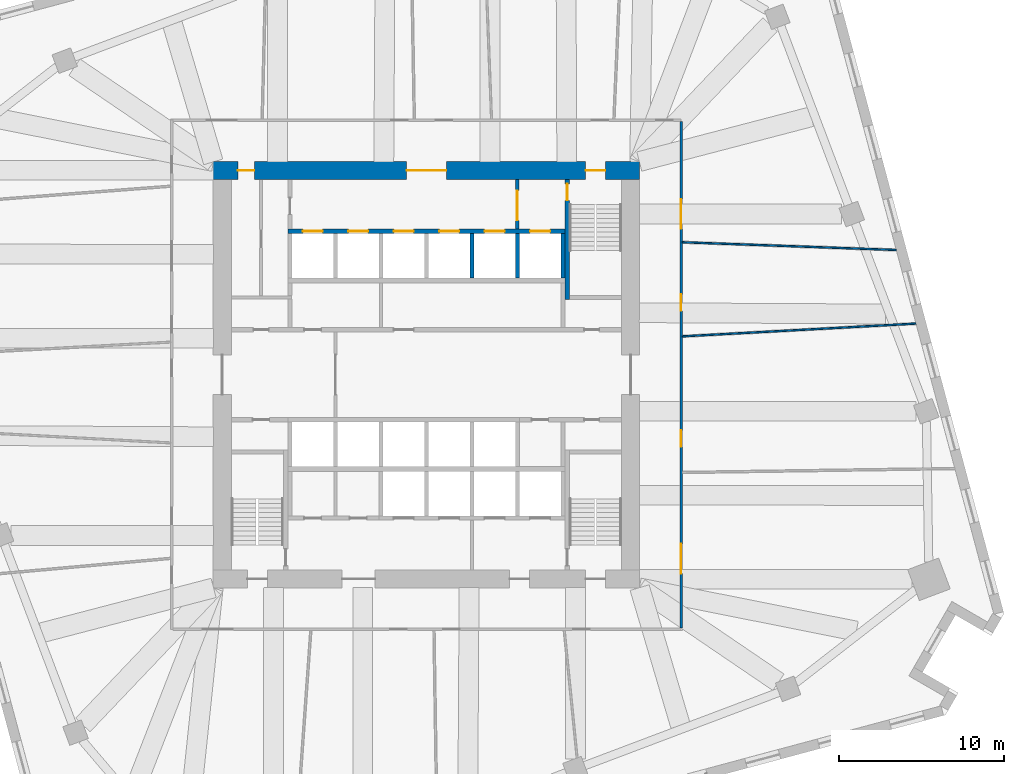
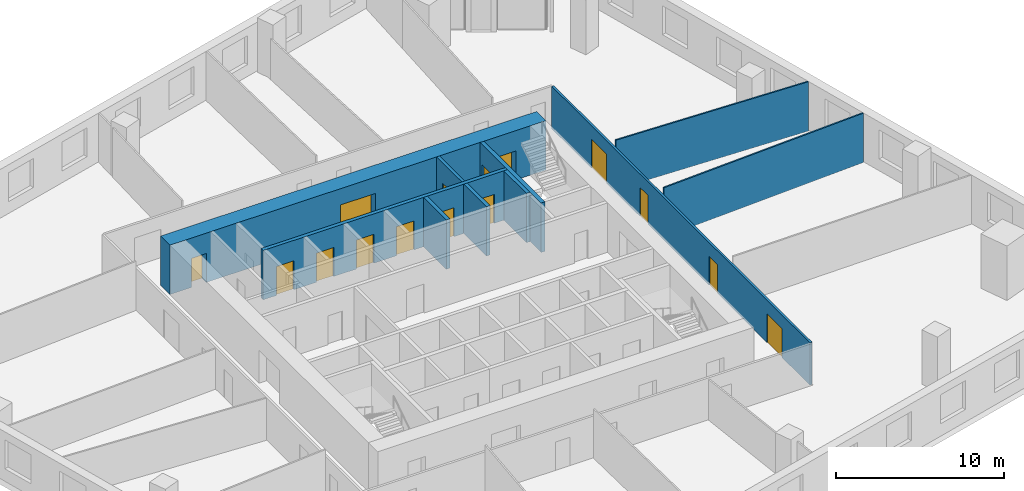
# One storey, part 9 of 13: 15 doors, 10 walls, 15 openings.
"""IFC4 building model written with IfcOpenShell, lengths in metres."""

from ifc_helpers import new_model, si_unit, direction, frame, frame_2d, origin, place, context, subcontext, project, spatial, rectangle, extrude, material, layer, layer_set, type_object, element, fill, save


model = new_model("IFC4")

# Units and contexts
model_context = context("Model", 3, precision=1e-05, world=origin(), true_north=direction((0.0, 1.0)))
body_context = subcontext(model_context, "Body", "Model", "MODEL_VIEW")
ifc_project = project(units=[si_unit("LENGTHUNIT", "METRE"), si_unit("AREAUNIT", "SQUARE_METRE"), si_unit("VOLUMEUNIT", "CUBIC_METRE"), si_unit("PLANEANGLEUNIT", "RADIAN"), si_unit("MASSUNIT", "GRAM", prefix="KILO")], contexts=[model_context])

# Site, building, storey
site_placement = place(None, origin())
site = spatial("IfcSite", under=ifc_project, at=site_placement, CompositionType="ELEMENT")
building_placement = place(site_placement, origin())
building = spatial("IfcBuilding", under=site, at=building_placement, Name="Dilmun Exchange Tower", CompositionType="ELEMENT")
storey_placement = place(building_placement, frame((0.0, 0.0, 86.10009765625)))
storey = spatial("IfcBuildingStorey", under=building, at=storey_placement, Name="L19", CompositionType="ELEMENT", Elevation=86.10009765625)

# Wall, opening, door
ifc_material_1 = material(Name="Concrete C40/50", Category="concrete")
ifc_layer_1 = layer(ifc_material_1, 0.199951171875)
ifc_layer_set_1 = layer_set([ifc_layer_1], Name="Concrete C40/50")
wall_type_1 = type_object("IfcWallType", Name="Core partition wall 200", PredefinedType="PARTITIONING", material=ifc_layer_set_1)
wall_1_placement = place(storey_placement, frame((5.5, 8.804931640625, 0.0), z_axis=(0.0, 0.0, 1.0), x_axis=(0.0, 1.0, 0.0)))
wall_1 = element("IfcWall", 1, at=wall_1_placement, inside=storey, type_object=wall_type_1, Name="L19 core partition wall 17", PredefinedType="PARTITIONING", context=body_context, shape_type="SweptSolid", body=[
    extrude(rectangle(XDim=2.989990234375, YDim=0.199951171875, at=frame_2d((1.4951171875, 0.0))), origin(), (0.0, 0.0, 1.0), 3.579833984375),
])
opening_1_placement = place(wall_1_placement, frame((0.532470703125, 0.0, 0.0)))
opening_1 = element("IfcOpeningElement", 2, at=opening_1_placement, cuts=wall_1, Name="Opening CD5", PredefinedType="OPENING", context=body_context, shape_type="SweptSolid", body=[
    extrude(rectangle(XDim=1.800048828125, YDim=2.10009765625, at=frame_2d((0.89990234375, 1.050048828125))), frame((0.0, 0.10986328125, 0.0), z_axis=(0.0, -1.0, 0.0), x_axis=(1.0, 0.0, 0.0)), (0.0, 0.0, 1.0), 0.219970703125),
])
ifc_material_2 = material(Name="Fire-rated steel door set", Category="steel")
door_type_1 = type_object("IfcDoorType", Name="Stair exit door 1800x2100", OperationType="SINGLE_SWING_LEFT", PredefinedType="DOOR", material=ifc_material_2)
door_1_placement = place(opening_1_placement, origin())
door_1 = element("IfcDoor", 3, at=door_1_placement, inside=storey, type_object=door_type_1, Name="L19 door Lift lobby east", OperationType="SINGLE_SWING_LEFT", OverallHeight=2.10009765625, OverallWidth=1.800048828125, PredefinedType="DOOR", context=body_context, shape_type="SweptSolid", body=[
    extrude(rectangle(XDim=1.800048828125, YDim=2.10009765625, at=frame_2d((0.89990234375, 1.050048828125))), frame((0.0, 0.02490234375, 0.0), z_axis=(0.0, -1.0, 0.0), x_axis=(1.0, 0.0, 0.0)), (0.0, 0.0, 1.0), 0.050048828125),
])
fill(opening_1, door_1)

# Wall, openings, doors
ifc_material_3 = material(Name="Concrete C80/95", Category="concrete")
ifc_layer_2 = layer(ifc_material_3, 1.10009765625)
ifc_layer_set_2 = layer_set([ifc_layer_2], Name="Concrete C80/95")
wall_type_2 = type_object("IfcWallType", Name="Core shear wall 1100 Concrete C80/95", PredefinedType="SHEAR", material=ifc_layer_set_2)
wall_2_placement = place(storey_placement, frame((-12.89990234375, 12.35009765625, 0.0), z_axis=(0.0, 0.0, 1.0), x_axis=(1.0, 0.0, 0.0)))
wall_2 = element("IfcWall", 4, at=wall_2_placement, inside=storey, type_object=wall_type_2, Name="L19 core shear wall N", PredefinedType="SHEAR", context=body_context, shape_type="SweptSolid", body=[
    extrude(rectangle(XDim=25.7998046875, YDim=1.10009765625, at=frame_2d((12.89990234375, 0.0))), origin(), (0.0, 0.0, 1.0), 3.579833984375),
])
opening_2_placement = place(wall_2_placement, frame((11.699951171875, 0.0, 0.0)))
opening_2 = element("IfcOpeningElement", 5, at=opening_2_placement, cuts=wall_2, Name="Opening CD1", PredefinedType="OPENING", context=body_context, shape_type="SweptSolid", body=[
    extrude(rectangle(XDim=2.39990234375, YDim=2.39990234375, at=frame_2d((1.199951171875, 1.199951171875))), frame((0.0, 0.56005859375, 0.0), z_axis=(0.0, -1.0, 0.0), x_axis=(1.0, 0.0, 0.0)), (0.0, 0.0, 1.0), 1.1201171875),
])
opening_3_placement = place(wall_2_placement, frame((22.52490234375, 0.0, 0.0)))
opening_3 = element("IfcOpeningElement", 6, at=opening_3_placement, cuts=wall_2, Name="Opening CD3", PredefinedType="OPENING", context=body_context, shape_type="SweptSolid", body=[
    extrude(rectangle(XDim=1.199951171875, YDim=2.10009765625, at=frame_2d((0.60009765625, 1.050048828125))), frame((0.0, 0.56005859375, 0.0), z_axis=(0.0, -1.0, 0.0), x_axis=(1.0, 0.0, 0.0)), (0.0, 0.0, 1.0), 1.1201171875),
])
opening_4_placement = place(wall_2_placement, frame((1.5, 0.0, 0.0)))
opening_4 = element("IfcOpeningElement", 7, at=opening_4_placement, cuts=wall_2, Name="Opening CD4", PredefinedType="OPENING", context=body_context, shape_type="SweptSolid", body=[
    extrude(rectangle(XDim=1.0, YDim=2.10009765625, at=frame_2d((0.5, 1.050048828125))), frame((0.0, 0.56005859375, 0.0), z_axis=(0.0, -1.0, 0.0), x_axis=(1.0, 0.0, 0.0)), (0.0, 0.0, 1.0), 1.1201171875),
])
door_type_2 = type_object("IfcDoorType", Name="Core lobby door 2400x2400", OperationType="DOUBLE_DOOR_DOUBLE_SWING", PredefinedType="DOOR", material=ifc_material_2)
door_2_placement = place(opening_2_placement, origin())
door_2 = element("IfcDoor", 8, at=door_2_placement, inside=storey, type_object=door_type_2, Name="L19 door North lift lobby", OperationType="SINGLE_SWING_LEFT", OverallHeight=2.39990234375, OverallWidth=2.39990234375, PredefinedType="DOOR", context=body_context, shape_type="SweptSolid", body=[
    extrude(rectangle(XDim=2.39990234375, YDim=2.39990234375, at=frame_2d((1.199951171875, 1.199951171875))), frame((0.0, 0.02490234375, 0.0), z_axis=(0.0, -1.0, 0.0), x_axis=(1.0, 0.0, 0.0)), (0.0, 0.0, 1.0), 0.050048828125),
])
fill(opening_2, door_2)
door_type_3 = type_object("IfcDoorType", Name="Core room door 1000x2100", OperationType="SINGLE_SWING_LEFT", PredefinedType="DOOR", material=ifc_material_2)
door_3_placement = place(opening_4_placement, origin())
door_3 = element("IfcDoor", 9, at=door_3_placement, inside=storey, type_object=door_type_3, Name="L19 door North-west core rooms", OperationType="SINGLE_SWING_LEFT", OverallHeight=2.10009765625, OverallWidth=1.0, PredefinedType="DOOR", context=body_context, shape_type="SweptSolid", body=[
    extrude(rectangle(XDim=1.0, YDim=2.10009765625, at=frame_2d((0.5, 1.050048828125))), frame((0.0, 0.02490234375, 0.0), z_axis=(0.0, -1.0, 0.0), x_axis=(1.0, 0.0, 0.0)), (0.0, 0.0, 1.0), 0.050048828125),
])
fill(opening_4, door_3)
door_type_4 = type_object("IfcDoorType", Name="Stair exit door 1200x2100", OperationType="SINGLE_SWING_LEFT", PredefinedType="DOOR", material=ifc_material_2)
door_4_placement = place(opening_3_placement, origin())
door_4 = element("IfcDoor", 10, at=door_4_placement, inside=storey, type_object=door_type_4, Name="L19 door Stair ST1", OperationType="SINGLE_SWING_LEFT", OverallHeight=2.10009765625, OverallWidth=1.199951171875, PredefinedType="DOOR", context=body_context, shape_type="SweptSolid", body=[
    extrude(rectangle(XDim=1.199951171875, YDim=2.10009765625, at=frame_2d((0.60009765625, 1.050048828125))), frame((0.0, 0.02490234375, 0.0), z_axis=(0.0, -1.0, 0.0), x_axis=(1.0, 0.0, 0.0)), (0.0, 0.0, 1.0), 0.050048828125),
])
fill(opening_3, door_4)

ifc_material_4 = material(Name="Corridor wall 150")
ifc_layer_3 = layer(ifc_material_4, 0.14990234375)
ifc_layer_set_3 = layer_set([ifc_layer_3], Name="Corridor wall 150")
wall_type_3 = type_object("IfcWallType", Name="Corridor wall 150", PredefinedType="PARTITIONING", material=ifc_layer_set_3)
wall_3_placement = place(storey_placement, frame((15.39990234375, -15.324951171875, 0.0), z_axis=(0.0, 0.0, 1.0), x_axis=(0.0, 1.0, 0.0)))
wall_3 = element("IfcWall", 11, at=wall_3_placement, inside=storey, type_object=wall_type_3, Name="Corridor wall", PredefinedType="PARTITIONING", context=body_context, shape_type="SweptSolid", body=[
    extrude(rectangle(XDim=30.64990234375, YDim=0.14990234375, at=frame_2d((15.324951171875, 0.0))), origin(), (0.0, 0.0, 1.0), 3.079833984375),
])
opening_5_placement = place(wall_3_placement, frame((24.1396484375, 0.0, 0.0)))
opening_5 = element("IfcOpeningElement", 12, at=opening_5_placement, cuts=wall_3, Name="Opening TF18-D14", PredefinedType="OPENING", context=body_context, shape_type="SweptSolid", body=[
    extrude(rectangle(XDim=1.800048828125, YDim=2.10009765625, at=frame_2d((0.89990234375, 1.050048828125))), frame((0.0, 0.0849609375, 0.0), z_axis=(0.0, -1.0, 0.0), x_axis=(1.0, 0.0, 0.0)), (0.0, 0.0, 1.0), 0.169921875),
])
opening_6_placement = place(wall_3_placement, frame((3.300048828125, 0.0, 0.0)))
opening_6 = element("IfcOpeningElement", 13, at=opening_6_placement, cuts=wall_3, Name="Opening TF18-D16", PredefinedType="OPENING", context=body_context, shape_type="SweptSolid", body=[
    extrude(rectangle(XDim=1.800048828125, YDim=2.10009765625, at=frame_2d((0.89990234375, 1.050048828125))), frame((0.0, 0.0849609375, 0.0), z_axis=(0.0, -1.0, 0.0), x_axis=(1.0, 0.0, 0.0)), (0.0, 0.0, 1.0), 0.169921875),
])
opening_7_placement = place(wall_3_placement, frame((19.19091796875, 0.0, 0.0)))
opening_7 = element("IfcOpeningElement", 14, at=opening_7_placement, cuts=wall_3, Name="Opening TF18-D18", PredefinedType="OPENING", context=body_context, shape_type="SweptSolid", body=[
    extrude(rectangle(XDim=1.0, YDim=2.10009765625, at=frame_2d((0.5, 1.050048828125))), frame((0.0, 0.0849609375, 0.0), z_axis=(0.0, -1.0, 0.0), x_axis=(1.0, 0.0, 0.0)), (0.0, 0.0, 1.0), 0.169921875),
])
opening_8_placement = place(wall_3_placement, frame((10.962646484375, 0.0, 0.0)))
opening_8 = element("IfcOpeningElement", 15, at=opening_8_placement, cuts=wall_3, Name="Opening TF18-D19", PredefinedType="OPENING", context=body_context, shape_type="SweptSolid", body=[
    extrude(rectangle(XDim=1.0, YDim=2.10009765625, at=frame_2d((0.5, 1.050048828125))), frame((0.0, 0.0849609375, 0.0), z_axis=(0.0, -1.0, 0.0), x_axis=(1.0, 0.0, 0.0)), (0.0, 0.0, 1.0), 0.169921875),
])
ifc_material_5 = material(Name="Fire door 1000 x 2100")
door_type_5 = type_object("IfcDoorType", Name="Fire door 1000 x 2100", OperationType="NOTDEFINED", PredefinedType="DOOR", material=ifc_material_5)
door_5_placement = place(opening_7_placement, frame((1.0, 0.0, 0.0), z_axis=(0.0, 0.0, 1.0), x_axis=(-1.0, 0.0, 0.0)))
door_5 = element("IfcDoor", 16, at=door_5_placement, inside=storey, type_object=door_type_5, Name="Door TF18-D18", OperationType="SINGLE_SWING_RIGHT", OverallHeight=2.10009765625, OverallWidth=1.0, PredefinedType="DOOR", context=body_context, shape_type="SweptSolid", body=[
    extrude(rectangle(XDim=1.0, YDim=2.10009765625, at=frame_2d((0.5, 1.050048828125))), frame((0.0, 0.02490234375, 0.0), z_axis=(0.0, -1.0, 0.0), x_axis=(1.0, 0.0, 0.0)), (0.0, 0.0, 1.0), 0.050048828125),
])
fill(opening_7, door_5)
door_6_placement = place(opening_8_placement, frame((1.0, 0.0, 0.0), z_axis=(0.0, 0.0, 1.0), x_axis=(-1.0, 0.0, 0.0)))
door_6 = element("IfcDoor", 17, at=door_6_placement, inside=storey, type_object=door_type_5, Name="Door TF18-D19", OperationType="SINGLE_SWING_RIGHT", OverallHeight=2.10009765625, OverallWidth=1.0, PredefinedType="DOOR", context=body_context, shape_type="SweptSolid", body=[
    extrude(rectangle(XDim=1.0, YDim=2.10009765625, at=frame_2d((0.5, 1.050048828125))), frame((0.0, 0.02490234375, 0.0), z_axis=(0.0, -1.0, 0.0), x_axis=(1.0, 0.0, 0.0)), (0.0, 0.0, 1.0), 0.050048828125),
])
fill(opening_8, door_6)
ifc_material_6 = material(Name="Fire door pair 1800 x 2100")
door_type_6 = type_object("IfcDoorType", Name="Fire door pair 1800 x 2100", OperationType="NOTDEFINED", PredefinedType="DOOR", material=ifc_material_6)
door_7_placement = place(opening_5_placement, frame((1.800048828125, 0.0, 0.0), z_axis=(0.0, 0.0, 1.0), x_axis=(-1.0, 0.0, 0.0)))
door_7 = element("IfcDoor", 18, at=door_7_placement, inside=storey, type_object=door_type_6, Name="Door TF18-D14", OperationType="DOUBLE_DOOR_SINGLE_SWING", OverallHeight=2.10009765625, OverallWidth=1.800048828125, PredefinedType="DOOR", context=body_context, shape_type="SweptSolid", body=[
    extrude(rectangle(XDim=1.800048828125, YDim=2.10009765625, at=frame_2d((0.89990234375, 1.050048828125))), frame((0.0, 0.02490234375, 0.0), z_axis=(0.0, -1.0, 0.0), x_axis=(1.0, 0.0, 0.0)), (0.0, 0.0, 1.0), 0.050048828125),
])
fill(opening_5, door_7)
door_8_placement = place(opening_6_placement, frame((1.800048828125, 0.0, 0.0), z_axis=(0.0, 0.0, 1.0), x_axis=(-1.0, 0.0, 0.0)))
door_8 = element("IfcDoor", 19, at=door_8_placement, inside=storey, type_object=door_type_6, Name="Door TF18-D16", OperationType="DOUBLE_DOOR_SINGLE_SWING", OverallHeight=2.10009765625, OverallWidth=1.800048828125, PredefinedType="DOOR", context=body_context, shape_type="SweptSolid", body=[
    extrude(rectangle(XDim=1.800048828125, YDim=2.10009765625, at=frame_2d((0.89990234375, 1.050048828125))), frame((0.0, 0.02490234375, 0.0), z_axis=(0.0, -1.0, 0.0), x_axis=(1.0, 0.0, 0.0)), (0.0, 0.0, 1.0), 0.050048828125),
])
fill(opening_6, door_8)

ifc_layer_4 = layer(ifc_material_1, 0.25)
ifc_layer_set_4 = layer_set([ifc_layer_4], Name="Concrete C40/50")
wall_type_4 = type_object("IfcWallType", Name="Lift shaft wall 250", PredefinedType="SOLIDWALL", material=ifc_layer_set_4)
wall_4_placement = place(storey_placement, frame((-8.375, 8.675048828125, 0.0), z_axis=(0.0, 0.0, 1.0), x_axis=(1.0, 0.0, 0.0)))
wall_4 = element("IfcWall", 20, at=wall_4_placement, inside=storey, type_object=wall_type_4, Name="L19 lift shaft front wall N2", PredefinedType="SOLIDWALL", context=body_context, shape_type="SweptSolid", body=[
    extrude(rectangle(XDim=16.75, YDim=0.25, at=frame_2d((8.375, 0.0))), origin(), (0.0, 0.0, 1.0), 3.579833984375),
])
opening_9_placement = place(wall_4_placement, frame((0.89990234375, 0.0, 0.0)))
opening_9 = element("IfcOpeningElement", 21, at=opening_9_placement, cuts=wall_4, Name="Opening LD", PredefinedType="OPENING", context=body_context, shape_type="SweptSolid", body=[
    extrude(rectangle(XDim=1.199951171875, YDim=2.10009765625, at=frame_2d((0.60009765625, 1.050048828125))), frame((0.0, 0.135009765625, 0.0), z_axis=(0.0, -1.0, 0.0), x_axis=(1.0, 0.0, 0.0)), (0.0, 0.0, 1.0), 0.27001953125),
])
opening_10_placement = place(wall_4_placement, frame((3.64990234375, 0.0, 0.0)))
opening_10 = element("IfcOpeningElement", 22, at=opening_10_placement, cuts=wall_4, Name="Opening LD", PredefinedType="OPENING", context=body_context, shape_type="SweptSolid", body=[
    extrude(rectangle(XDim=1.199951171875, YDim=2.10009765625, at=frame_2d((0.60009765625, 1.050048828125))), frame((0.0, 0.135009765625, 0.0), z_axis=(0.0, -1.0, 0.0), x_axis=(1.0, 0.0, 0.0)), (0.0, 0.0, 1.0), 0.27001953125),
])
opening_11_placement = place(wall_4_placement, frame((6.39990234375, 0.0, 0.0)))
opening_11 = element("IfcOpeningElement", 23, at=opening_11_placement, cuts=wall_4, Name="Opening LD", PredefinedType="OPENING", context=body_context, shape_type="SweptSolid", body=[
    extrude(rectangle(XDim=1.199951171875, YDim=2.10009765625, at=frame_2d((0.60009765625, 1.050048828125))), frame((0.0, 0.135009765625, 0.0), z_axis=(0.0, -1.0, 0.0), x_axis=(1.0, 0.0, 0.0)), (0.0, 0.0, 1.0), 0.27001953125),
])
opening_12_placement = place(wall_4_placement, frame((9.14990234375, 0.0, 0.0)))
opening_12 = element("IfcOpeningElement", 24, at=opening_12_placement, cuts=wall_4, Name="Opening LD", PredefinedType="OPENING", context=body_context, shape_type="SweptSolid", body=[
    extrude(rectangle(XDim=1.199951171875, YDim=2.10009765625, at=frame_2d((0.60009765625, 1.050048828125))), frame((0.0, 0.135009765625, 0.0), z_axis=(0.0, -1.0, 0.0), x_axis=(1.0, 0.0, 0.0)), (0.0, 0.0, 1.0), 0.27001953125),
])
opening_13_placement = place(wall_4_placement, frame((11.89990234375, 0.0, 0.0)))
opening_13 = element("IfcOpeningElement", 25, at=opening_13_placement, cuts=wall_4, Name="Opening LD", PredefinedType="OPENING", context=body_context, shape_type="SweptSolid", body=[
    extrude(rectangle(XDim=1.199951171875, YDim=2.10009765625, at=frame_2d((0.60009765625, 1.050048828125))), frame((0.0, 0.135009765625, 0.0), z_axis=(0.0, -1.0, 0.0), x_axis=(1.0, 0.0, 0.0)), (0.0, 0.0, 1.0), 0.27001953125),
])
opening_14_placement = place(wall_4_placement, frame((14.64990234375, 0.0, 0.0)))
opening_14 = element("IfcOpeningElement", 26, at=opening_14_placement, cuts=wall_4, Name="Opening LD", PredefinedType="OPENING", context=body_context, shape_type="SweptSolid", body=[
    extrude(rectangle(XDim=1.199951171875, YDim=2.10009765625, at=frame_2d((0.60009765625, 1.050048828125))), frame((0.0, 0.135009765625, 0.0), z_axis=(0.0, -1.0, 0.0), x_axis=(1.0, 0.0, 0.0)), (0.0, 0.0, 1.0), 0.27001953125),
])
door_type_7 = type_object("IfcDoorType", Name="Lift landing door 1200x2100", OperationType="DOUBLE_DOOR_SLIDING", PredefinedType="DOOR", material=ifc_material_2)
door_9_placement = place(opening_9_placement, origin())
door_9 = element("IfcDoor", 27, at=door_9_placement, inside=storey, type_object=door_type_7, Name="L19 landing door LR1", OperationType="DOUBLE_DOOR_SLIDING", OverallHeight=2.10009765625, OverallWidth=1.199951171875, PredefinedType="DOOR", context=body_context, shape_type="SweptSolid", body=[
    extrude(rectangle(XDim=1.199951171875, YDim=2.10009765625, at=frame_2d((0.60009765625, 1.050048828125))), frame((0.0, 0.02490234375, 0.0), z_axis=(0.0, -1.0, 0.0), x_axis=(1.0, 0.0, 0.0)), (0.0, 0.0, 1.0), 0.050048828125),
])
fill(opening_9, door_9)
door_10_placement = place(opening_10_placement, origin())
door_10 = element("IfcDoor", 28, at=door_10_placement, inside=storey, type_object=door_type_7, Name="L19 landing door LR2", OperationType="DOUBLE_DOOR_SLIDING", OverallHeight=2.10009765625, OverallWidth=1.199951171875, PredefinedType="DOOR", context=body_context, shape_type="SweptSolid", body=[
    extrude(rectangle(XDim=1.199951171875, YDim=2.10009765625, at=frame_2d((0.60009765625, 1.050048828125))), frame((0.0, 0.02490234375, 0.0), z_axis=(0.0, -1.0, 0.0), x_axis=(1.0, 0.0, 0.0)), (0.0, 0.0, 1.0), 0.050048828125),
])
fill(opening_10, door_10)
door_11_placement = place(opening_11_placement, origin())
door_11 = element("IfcDoor", 29, at=door_11_placement, inside=storey, type_object=door_type_7, Name="L19 landing door LR3", OperationType="DOUBLE_DOOR_SLIDING", OverallHeight=2.10009765625, OverallWidth=1.199951171875, PredefinedType="DOOR", context=body_context, shape_type="SweptSolid", body=[
    extrude(rectangle(XDim=1.199951171875, YDim=2.10009765625, at=frame_2d((0.60009765625, 1.050048828125))), frame((0.0, 0.02490234375, 0.0), z_axis=(0.0, -1.0, 0.0), x_axis=(1.0, 0.0, 0.0)), (0.0, 0.0, 1.0), 0.050048828125),
])
fill(opening_11, door_11)
door_12_placement = place(opening_12_placement, origin())
door_12 = element("IfcDoor", 30, at=door_12_placement, inside=storey, type_object=door_type_7, Name="L19 landing door LR4", OperationType="DOUBLE_DOOR_SLIDING", OverallHeight=2.10009765625, OverallWidth=1.199951171875, PredefinedType="DOOR", context=body_context, shape_type="SweptSolid", body=[
    extrude(rectangle(XDim=1.199951171875, YDim=2.10009765625, at=frame_2d((0.60009765625, 1.050048828125))), frame((0.0, 0.02490234375, 0.0), z_axis=(0.0, -1.0, 0.0), x_axis=(1.0, 0.0, 0.0)), (0.0, 0.0, 1.0), 0.050048828125),
])
fill(opening_12, door_12)
door_13_placement = place(opening_13_placement, origin())
door_13 = element("IfcDoor", 31, at=door_13_placement, inside=storey, type_object=door_type_7, Name="L19 landing door LR5", OperationType="DOUBLE_DOOR_SLIDING", OverallHeight=2.10009765625, OverallWidth=1.199951171875, PredefinedType="DOOR", context=body_context, shape_type="SweptSolid", body=[
    extrude(rectangle(XDim=1.199951171875, YDim=2.10009765625, at=frame_2d((0.60009765625, 1.050048828125))), frame((0.0, 0.02490234375, 0.0), z_axis=(0.0, -1.0, 0.0), x_axis=(1.0, 0.0, 0.0)), (0.0, 0.0, 1.0), 0.050048828125),
])
fill(opening_13, door_13)
door_14_placement = place(opening_14_placement, origin())
door_14 = element("IfcDoor", 32, at=door_14_placement, inside=storey, type_object=door_type_7, Name="L19 landing door LR6", OperationType="DOUBLE_DOOR_SLIDING", OverallHeight=2.10009765625, OverallWidth=1.199951171875, PredefinedType="DOOR", context=body_context, shape_type="SweptSolid", body=[
    extrude(rectangle(XDim=1.199951171875, YDim=2.10009765625, at=frame_2d((0.60009765625, 1.050048828125))), frame((0.0, 0.02490234375, 0.0), z_axis=(0.0, -1.0, 0.0), x_axis=(1.0, 0.0, 0.0)), (0.0, 0.0, 1.0), 0.050048828125),
])
fill(opening_14, door_14)

# Walls
for number, where, z_axis, x_axis, name in (
    (33, (2.75, 5.85009765625, 0.0), (0.0, 0.0, 1.0), (0.0, 1.0, 0.0), "L19 lift shaft divider N24"),
    (34, (5.5, 5.85009765625, 0.0), (0.0, 0.0, 1.0), (0.0, 1.0, 0.0), "L19 lift shaft divider N25"),
    (35, (8.25, 5.85009765625, 0.0), (0.0, 0.0, 1.0), (0.0, 1.0, 0.0), "L19 lift shaft divider N26"),
):
    element("IfcWall", number, at=place(storey_placement, frame(where, z_axis=z_axis, x_axis=x_axis)), inside=storey, type_object=wall_type_4, Name=name, PredefinedType="SOLIDWALL", context=body_context, shape_type="SweptSolid", body=[
        extrude(rectangle(XDim=2.699951171875, YDim=0.25, at=frame_2d((1.35009765625, 0.0))), origin(), (0.0, 0.0, 1.0), 3.579833984375),
    ])
ifc_material_7 = material(Name="Partition 100")
ifc_layer_5 = layer(ifc_material_7, 0.10009765625)
ifc_layer_set_5 = layer_set([ifc_layer_5], Name="Partition 100")
wall_type_5 = type_object("IfcWallType", Name="Partition 100", PredefinedType="PARTITIONING", material=ifc_layer_set_5)
wall_5_placement = place(storey_placement, frame((15.477783203125, 2.3203125, 0.0), z_axis=(0.0, 0.0, 1.0), x_axis=(0.998502061924, 0.054714096293, 0.0)))
element("IfcWall", 36, at=wall_5_placement, inside=storey, type_object=wall_type_5, Name="Partition", PredefinedType="PARTITIONING", context=body_context, shape_type="SweptSolid", body=[
    extrude(rectangle(XDim=14.1494140625, YDim=0.10009765625, at=frame_2d((7.07470703125, 0.0))), origin(), (0.0, 0.0, 1.0), 3.579833984375),
])
wall_6_placement = place(storey_placement, frame((15.476806640625, 8.01318359375, 0.0), z_axis=(0.0, 0.0, 1.0), x_axis=(0.999348235862, -0.036098524609, 0.0)))
element("IfcWall", 37, at=wall_6_placement, inside=storey, type_object=wall_type_5, Name="Partition", PredefinedType="PARTITIONING", context=body_context, shape_type="SweptSolid", body=[
    extrude(rectangle(XDim=12.94482421875, YDim=0.10009765625, at=frame_2d((6.472412109375, 0.0))), origin(), (0.0, 0.0, 1.0), 3.579833984375),
])

# Wall, opening, door
ifc_layer_6 = layer(ifc_material_1, 0.27490234375)
ifc_layer_set_6 = layer_set([ifc_layer_6], Name="Concrete C40/50")
wall_type_6 = type_object("IfcWallType", Name="Stair wall 275", PredefinedType="SOLIDWALL", material=ifc_layer_set_6)
wall_7_placement = place(storey_placement, frame((8.512451171875, 4.550048828125, 0.0), z_axis=(0.0, 0.0, 1.0), x_axis=(0.0, 1.0, 0.0)))
wall_7 = element("IfcWall", 38, at=wall_7_placement, inside=storey, type_object=wall_type_6, Name="L19 ST1 wall to lift block", PredefinedType="SOLIDWALL", context=body_context, shape_type="SweptSolid", body=[
    extrude(rectangle(XDim=7.25, YDim=0.27490234375, at=frame_2d((3.625, 0.0))), origin(), (0.0, 0.0, 1.0), 3.579833984375),
])
opening_15_placement = place(wall_7_placement, frame((6.0, 0.0, 0.0)))
opening_15 = element("IfcOpeningElement", 39, at=opening_15_placement, cuts=wall_7, Name="Opening CD4", PredefinedType="OPENING", context=body_context, shape_type="SweptSolid", body=[
    extrude(rectangle(XDim=1.0, YDim=2.10009765625, at=frame_2d((0.5, 1.050048828125))), frame((0.0, 0.1474609375, 0.0), z_axis=(0.0, -1.0, 0.0), x_axis=(1.0, 0.0, 0.0)), (0.0, 0.0, 1.0), 0.294921875),
])
door_15_placement = place(opening_15_placement, origin())
door_15 = element("IfcDoor", 40, at=door_15_placement, inside=storey, type_object=door_type_3, Name="L19 door ST1 from lobby", OperationType="SINGLE_SWING_LEFT", OverallHeight=2.10009765625, OverallWidth=1.0, PredefinedType="DOOR", context=body_context, shape_type="SweptSolid", body=[
    extrude(rectangle(XDim=1.0, YDim=2.10009765625, at=frame_2d((0.5, 1.050048828125))), frame((0.0, 0.02490234375, 0.0), z_axis=(0.0, -1.0, 0.0), x_axis=(1.0, 0.0, 0.0)), (0.0, 0.0, 1.0), 0.050048828125),
])
fill(opening_15, door_15)

save(model, "model.ifc")
